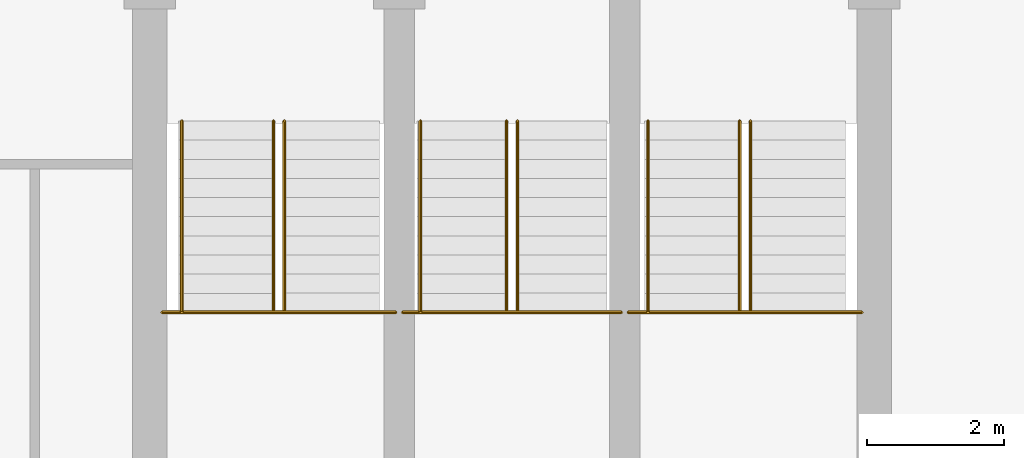
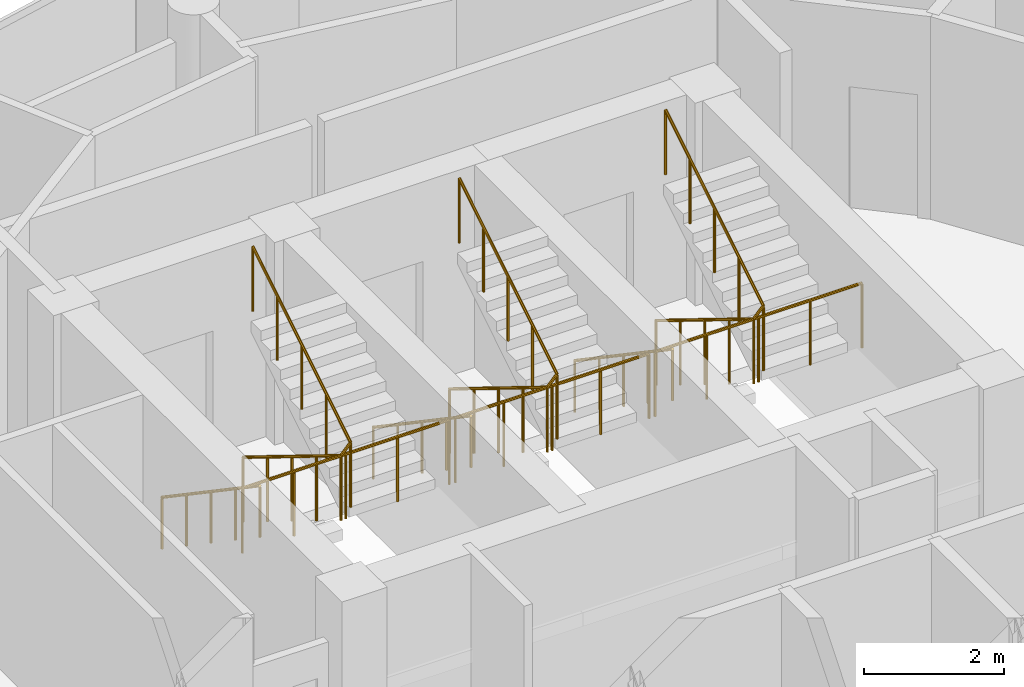
# One storey, part 24 of 24: 9 railings.
"""IFC4 building model written with IfcOpenShell, lengths in metres."""

from ifc_helpers import new_model, si_unit, direction, frame, origin, place, context, subcontext, project, spatial, polyline, outline, extrude, material, type_object, element, save


model = new_model("IFC4")

# Units and contexts
model_context = context("Model", 3, precision=1e-05, world=origin(), true_north=direction((0.0, 1.0)))
body_context = subcontext(model_context, "Body", "Model", "MODEL_VIEW")
ifc_project = project(units=[si_unit("LENGTHUNIT", "METRE"), si_unit("AREAUNIT", "SQUARE_METRE"), si_unit("VOLUMEUNIT", "CUBIC_METRE"), si_unit("PLANEANGLEUNIT", "RADIAN"), si_unit("MASSUNIT", "GRAM", prefix="KILO")], contexts=[model_context])

# Site, building, storey
site_placement = place(None, origin())
site = spatial("IfcSite", under=ifc_project, at=site_placement, CompositionType="ELEMENT")
building_placement = place(site_placement, origin())
building = spatial("IfcBuilding", under=site, at=building_placement, Name="Nuhasar Tower", CompositionType="ELEMENT")
storey_placement = place(building_placement, frame((0.0, 0.0, 270.800048828125)))
storey = spatial("IfcBuildingStorey", under=building, at=storey_placement, Name="L67", CompositionType="ELEMENT", Elevation=270.800048828125)

# Railings
ifc_material_1 = material(Name="Steel S355", Category="steel")
railing_type_1 = type_object("IfcRailingType", Name="RLG-STAIR-GUARD-1150", PredefinedType="GUARDRAIL", material=ifc_material_1)
railing_1_placement = place(storey_placement, frame((33.8798828125, 32.485107421875, 1.89990234375)))
element("IfcRailing", 1, at=railing_1_placement, inside=storey, type_object=railing_type_1, Name="L67 Stair ST-01 Guardrail LND", PredefinedType="GUARDRAIL", context=body_context, shape_type="SweptSolid", body=[
    extrude(outline(polyline([(0.024169921875, 0.0), (0.01708984375, 0.01708984375), (0.0, 0.024169921875), (-0.01708984375, 0.01708984375), (-0.024169921875, 0.0), (-0.01708984375, -0.01708984375), (0.0, -0.024169921875), (0.01708984375, -0.01708984375), (0.024169921875, 0.0)])), frame((0.0, 0.0, 1.1259765625), z_axis=(1.0, 0.0, 0.0), x_axis=(0.0, 1.0, 0.0)), (0.0, 0.0, 1.0), 3.420166015625),
    extrude(outline(polyline([(0.02099609375, 0.0), (0.014892578125, 0.014892578125), (0.0, 0.02099609375), (-0.014892578125, 0.014892578125), (-0.02099609375, 0.0), (-0.014892578125, -0.014892578125), (0.0, -0.02099609375), (0.014892578125, -0.014892578125), (0.02099609375, 0.0)])), origin(), (0.0, 0.0, 1.0), 1.101806640625),
    extrude(outline(polyline([(0.02099609375, 0.0), (0.014892578125, 0.014892578125), (0.0, 0.02099609375), (-0.014892578125, 0.014892578125), (-0.02099609375, 0.0), (-0.014892578125, -0.014892578125), (0.0, -0.02099609375), (0.014892578125, -0.014892578125), (0.02099609375, 0.0)])), frame((0.85498046875, 0.0, 0.0)), (0.0, 0.0, 1.0), 1.101806640625),
    extrude(outline(polyline([(0.02099609375, 0.0), (0.014892578125, 0.014892578125), (0.0, 0.02099609375), (-0.014892578125, 0.014892578125), (-0.02099609375, 0.0), (-0.014892578125, -0.014892578125), (0.0, -0.02099609375), (0.014892578125, -0.014892578125), (0.02099609375, 0.0)])), frame((1.7099609375, 0.0, 0.0)), (0.0, 0.0, 1.0), 1.101806640625),
    extrude(outline(polyline([(0.02099609375, 0.0), (0.014892578125, 0.014892578125), (0.0, 0.02099609375), (-0.014892578125, 0.014892578125), (-0.02099609375, 0.0), (-0.014892578125, -0.014892578125), (0.0, -0.02099609375), (0.014892578125, -0.014892578125), (0.02099609375, 0.0)])), frame((2.565185546875, 0.0, 0.0)), (0.0, 0.0, 1.0), 1.101806640625),
    extrude(outline(polyline([(0.02099609375, 0.0), (0.014892578125, 0.014892578125), (0.0, 0.02099609375), (-0.014892578125, 0.014892578125), (-0.02099609375, 0.0), (-0.014892578125, -0.014892578125), (0.0, -0.02099609375), (0.014892578125, -0.014892578125), (0.02099609375, 0.0)])), frame((3.420166015625, 0.0, 0.0)), (0.0, 0.0, 1.0), 1.101806640625),
])
railing_2_placement = place(storey_placement, frame((35.510009765625, 35.284912109375, 0.1728515625)))
element("IfcRailing", 2, at=railing_2_placement, inside=storey, type_object=railing_type_1, Name="L67 Stair ST-01 Guardrail SLT", PredefinedType="GUARDRAIL", context=body_context, shape_type="SweptSolid", body=[
    extrude(outline(polyline([(0.024169921875, 0.0), (0.01708984375, 0.01708984375), (0.0, 0.024169921875), (-0.01708984375, 0.01708984375), (-0.024169921875, 0.0), (-0.01708984375, -0.01708984375), (0.0, -0.024169921875), (0.01708984375, -0.01708984375), (0.024169921875, 0.0)])), frame((0.0, 0.0, 1.1259765625), z_axis=(0.0, -0.851102337555, 0.524999820009), x_axis=(1.0, 0.0, 0.0)), (0.0, 0.0, 1.0), 3.28955078125),
    extrude(outline(polyline([(0.024169921875, 0.0), (0.01708984375, 0.01708984375), (0.0, 0.024169921875), (-0.01708984375, 0.01708984375), (-0.024169921875, 0.0), (-0.01708984375, -0.01708984375), (0.0, -0.024169921875), (0.01708984375, -0.01708984375), (0.024169921875, 0.0)])), frame((0.0, -2.7998046875, 2.85302734375), z_axis=(0.678581247581, 0.0, 0.734525350435), x_axis=(0.0, 1.0, 0.0)), (0.0, 0.0, 1.0), 0.235595703125),
    extrude(outline(polyline([(0.024169921875, 0.0), (0.01708984375, 0.01708984375), (0.0, 0.024169921875), (-0.01708984375, 0.01708984375), (-0.024169921875, 0.0), (-0.01708984375, -0.01708984375), (0.0, -0.024169921875), (0.01708984375, -0.01708984375), (0.024169921875, 0.0)])), frame((0.159912109375, -2.7998046875, 3.02587890625), z_axis=(0.0, 0.851102337555, 0.524999820009), x_axis=(-1.0, 0.0, 0.0)), (0.0, 0.0, 1.0), 3.28955078125),
    extrude(outline(polyline([(0.02099609375, 0.0), (0.014892578125, 0.014892578125), (0.0, 0.02099609375), (-0.014892578125, 0.014892578125), (-0.02099609375, 0.0), (-0.014892578125, -0.014892578125), (0.0, -0.02099609375), (0.014892578125, -0.014892578125), (0.02099609375, 0.0)])), origin(), (0.0, 0.0, 1.0), 1.101806640625),
    extrude(outline(polyline([(0.02099609375, 0.0), (0.014892578125, 0.014892578125), (0.0, 0.02099609375), (-0.014892578125, 0.014892578125), (-0.02099609375, 0.0), (-0.014892578125, -0.014892578125), (0.0, -0.02099609375), (0.014892578125, -0.014892578125), (0.02099609375, 0.0)])), frame((0.0, -0.699951171875, 0.431640625)), (0.0, 0.0, 1.0), 1.101806640625),
    extrude(outline(polyline([(0.02099609375, 0.0), (0.014892578125, 0.014892578125), (0.0, 0.02099609375), (-0.014892578125, 0.014892578125), (-0.02099609375, 0.0), (-0.014892578125, -0.014892578125), (0.0, -0.02099609375), (0.014892578125, -0.014892578125), (0.02099609375, 0.0)])), frame((0.0, -1.39990234375, 0.863525390625)), (0.0, 0.0, 1.0), 1.101806640625),
    extrude(outline(polyline([(0.02099609375, 0.0), (0.014892578125, 0.014892578125), (0.0, 0.02099609375), (-0.014892578125, 0.014892578125), (-0.02099609375, 0.0), (-0.014892578125, -0.014892578125), (0.0, -0.02099609375), (0.014892578125, -0.014892578125), (0.02099609375, 0.0)])), frame((0.0, -2.099853515625, 1.29541015625)), (0.0, 0.0, 1.0), 1.101806640625),
    extrude(outline(polyline([(0.02099609375, 0.0), (0.014892578125, 0.014892578125), (0.0, 0.02099609375), (-0.014892578125, 0.014892578125), (-0.02099609375, 0.0), (-0.014892578125, -0.014892578125), (0.0, -0.02099609375), (0.014892578125, -0.014892578125), (0.02099609375, 0.0)])), frame((0.0, -2.7998046875, 1.72705078125)), (0.0, 0.0, 1.0), 1.101806640625),
    extrude(outline(polyline([(0.02099609375, 0.0), (0.014892578125, 0.014892578125), (0.0, 0.02099609375), (-0.014892578125, 0.014892578125), (-0.02099609375, 0.0), (-0.014892578125, -0.014892578125), (0.0, -0.02099609375), (0.014892578125, -0.014892578125), (0.02099609375, 0.0)])), frame((0.159912109375, -2.7998046875, 1.900146484375)), (0.0, 0.0, 1.0), 1.101806640625),
    extrude(outline(polyline([(0.02099609375, 0.0), (0.014892578125, 0.014892578125), (0.0, 0.02099609375), (-0.014892578125, 0.014892578125), (-0.02099609375, 0.0), (-0.014892578125, -0.014892578125), (0.0, -0.02099609375), (0.014892578125, -0.014892578125), (0.02099609375, 0.0)])), frame((0.159912109375, -2.099853515625, 2.33203125)), (0.0, 0.0, 1.0), 1.101806640625),
    extrude(outline(polyline([(0.02099609375, 0.0), (0.014892578125, 0.014892578125), (0.0, 0.02099609375), (-0.014892578125, 0.014892578125), (-0.02099609375, 0.0), (-0.014892578125, -0.014892578125), (0.0, -0.02099609375), (0.014892578125, -0.014892578125), (0.02099609375, 0.0)])), frame((0.159912109375, -1.39990234375, 2.763671875)), (0.0, 0.0, 1.0), 1.101806640625),
    extrude(outline(polyline([(0.02099609375, 0.0), (0.014892578125, 0.014892578125), (0.0, 0.02099609375), (-0.014892578125, 0.014892578125), (-0.02099609375, 0.0), (-0.014892578125, -0.014892578125), (0.0, -0.02099609375), (0.014892578125, -0.014892578125), (0.02099609375, 0.0)])), frame((0.159912109375, -0.699951171875, 3.1953125)), (0.0, 0.0, 1.0), 1.101806640625),
    extrude(outline(polyline([(0.02099609375, 0.0), (0.014892578125, 0.014892578125), (0.0, 0.02099609375), (-0.014892578125, 0.014892578125), (-0.02099609375, 0.0), (-0.014892578125, -0.014892578125), (0.0, -0.02099609375), (0.014892578125, -0.014892578125), (0.02099609375, 0.0)])), frame((0.159912109375, 0.0, 3.627197265625)), (0.0, 0.0, 1.0), 1.101806640625),
])
railing_3_placement = place(storey_placement, frame((37.39990234375, 32.485107421875, 1.89990234375)))
element("IfcRailing", 3, at=railing_3_placement, inside=storey, type_object=railing_type_1, Name="L67 Stair ST-03 Guardrail LND", PredefinedType="GUARDRAIL", context=body_context, shape_type="SweptSolid", body=[
    extrude(outline(polyline([(0.024169921875, 0.0), (0.01708984375, 0.01708984375), (0.0, 0.024169921875), (-0.01708984375, 0.01708984375), (-0.024169921875, 0.0), (-0.01708984375, -0.01708984375), (0.0, -0.024169921875), (0.01708984375, -0.01708984375), (0.024169921875, 0.0)])), frame((0.0, 0.0, 1.1259765625), z_axis=(1.0, 0.0, 0.0), x_axis=(0.0, 1.0, 0.0)), (0.0, 0.0, 1.0), 3.2001953125),
    extrude(outline(polyline([(0.02099609375, 0.0), (0.014892578125, 0.014892578125), (0.0, 0.02099609375), (-0.014892578125, 0.014892578125), (-0.02099609375, 0.0), (-0.014892578125, -0.014892578125), (0.0, -0.02099609375), (0.014892578125, -0.014892578125), (0.02099609375, 0.0)])), origin(), (0.0, 0.0, 1.0), 1.101806640625),
    extrude(outline(polyline([(0.02099609375, 0.0), (0.014892578125, 0.014892578125), (0.0, 0.02099609375), (-0.014892578125, 0.014892578125), (-0.02099609375, 0.0), (-0.014892578125, -0.014892578125), (0.0, -0.02099609375), (0.014892578125, -0.014892578125), (0.02099609375, 0.0)])), frame((0.800048828125, 0.0, 0.0)), (0.0, 0.0, 1.0), 1.101806640625),
    extrude(outline(polyline([(0.02099609375, 0.0), (0.014892578125, 0.014892578125), (0.0, 0.02099609375), (-0.014892578125, 0.014892578125), (-0.02099609375, 0.0), (-0.014892578125, -0.014892578125), (0.0, -0.02099609375), (0.014892578125, -0.014892578125), (0.02099609375, 0.0)])), frame((1.60009765625, 0.0, 0.0)), (0.0, 0.0, 1.0), 1.101806640625),
    extrude(outline(polyline([(0.02099609375, 0.0), (0.014892578125, 0.014892578125), (0.0, 0.02099609375), (-0.014892578125, 0.014892578125), (-0.02099609375, 0.0), (-0.014892578125, -0.014892578125), (0.0, -0.02099609375), (0.014892578125, -0.014892578125), (0.02099609375, 0.0)])), frame((2.400146484375, 0.0, 0.0)), (0.0, 0.0, 1.0), 1.101806640625),
    extrude(outline(polyline([(0.02099609375, 0.0), (0.014892578125, 0.014892578125), (0.0, 0.02099609375), (-0.014892578125, 0.014892578125), (-0.02099609375, 0.0), (-0.014892578125, -0.014892578125), (0.0, -0.02099609375), (0.014892578125, -0.014892578125), (0.02099609375, 0.0)])), frame((3.2001953125, 0.0, 0.0)), (0.0, 0.0, 1.0), 1.101806640625),
])
railing_4_placement = place(storey_placement, frame((38.919921875, 35.284912109375, 0.1728515625)))
element("IfcRailing", 4, at=railing_4_placement, inside=storey, type_object=railing_type_1, Name="L67 Stair ST-03 Guardrail SLT", PredefinedType="GUARDRAIL", context=body_context, shape_type="SweptSolid", body=[
    extrude(outline(polyline([(0.024169921875, 0.0), (0.01708984375, 0.01708984375), (0.0, 0.024169921875), (-0.01708984375, 0.01708984375), (-0.024169921875, 0.0), (-0.01708984375, -0.01708984375), (0.0, -0.024169921875), (0.01708984375, -0.01708984375), (0.024169921875, 0.0)])), frame((0.0, 0.0, 1.1259765625), z_axis=(0.0, -0.851102337555, 0.524999820009), x_axis=(1.0, 0.0, 0.0)), (0.0, 0.0, 1.0), 3.28955078125),
    extrude(outline(polyline([(0.024169921875, 0.0), (0.01708984375, 0.01708984375), (0.0, 0.024169921875), (-0.01708984375, 0.01708984375), (-0.024169921875, 0.0), (-0.01708984375, -0.01708984375), (0.0, -0.024169921875), (0.01708984375, -0.01708984375), (0.024169921875, 0.0)])), frame((0.0, -2.7998046875, 2.85302734375), z_axis=(0.679139610055, 0.0, 0.734009121234), x_axis=(0.0, 1.0, 0.0)), (0.0, 0.0, 1.0), 0.23583984375),
    extrude(outline(polyline([(0.024169921875, 0.0), (0.01708984375, 0.01708984375), (0.0, 0.024169921875), (-0.01708984375, 0.01708984375), (-0.024169921875, 0.0), (-0.01708984375, -0.01708984375), (0.0, -0.024169921875), (0.01708984375, -0.01708984375), (0.024169921875, 0.0)])), frame((0.16015625, -2.7998046875, 3.02587890625), z_axis=(0.0, 0.851102337555, 0.524999820009), x_axis=(-1.0, 0.0, 0.0)), (0.0, 0.0, 1.0), 3.28955078125),
    extrude(outline(polyline([(0.02099609375, 0.0), (0.014892578125, 0.014892578125), (0.0, 0.02099609375), (-0.014892578125, 0.014892578125), (-0.02099609375, 0.0), (-0.014892578125, -0.014892578125), (0.0, -0.02099609375), (0.014892578125, -0.014892578125), (0.02099609375, 0.0)])), origin(), (0.0, 0.0, 1.0), 1.101806640625),
    extrude(outline(polyline([(0.02099609375, 0.0), (0.014892578125, 0.014892578125), (0.0, 0.02099609375), (-0.014892578125, 0.014892578125), (-0.02099609375, 0.0), (-0.014892578125, -0.014892578125), (0.0, -0.02099609375), (0.014892578125, -0.014892578125), (0.02099609375, 0.0)])), frame((0.0, -0.699951171875, 0.431640625)), (0.0, 0.0, 1.0), 1.101806640625),
    extrude(outline(polyline([(0.02099609375, 0.0), (0.014892578125, 0.014892578125), (0.0, 0.02099609375), (-0.014892578125, 0.014892578125), (-0.02099609375, 0.0), (-0.014892578125, -0.014892578125), (0.0, -0.02099609375), (0.014892578125, -0.014892578125), (0.02099609375, 0.0)])), frame((0.0, -1.39990234375, 0.863525390625)), (0.0, 0.0, 1.0), 1.101806640625),
    extrude(outline(polyline([(0.02099609375, 0.0), (0.014892578125, 0.014892578125), (0.0, 0.02099609375), (-0.014892578125, 0.014892578125), (-0.02099609375, 0.0), (-0.014892578125, -0.014892578125), (0.0, -0.02099609375), (0.014892578125, -0.014892578125), (0.02099609375, 0.0)])), frame((0.0, -2.099853515625, 1.29541015625)), (0.0, 0.0, 1.0), 1.101806640625),
    extrude(outline(polyline([(0.02099609375, 0.0), (0.014892578125, 0.014892578125), (0.0, 0.02099609375), (-0.014892578125, 0.014892578125), (-0.02099609375, 0.0), (-0.014892578125, -0.014892578125), (0.0, -0.02099609375), (0.014892578125, -0.014892578125), (0.02099609375, 0.0)])), frame((0.0, -2.7998046875, 1.72705078125)), (0.0, 0.0, 1.0), 1.101806640625),
    extrude(outline(polyline([(0.02099609375, 0.0), (0.014892578125, 0.014892578125), (0.0, 0.02099609375), (-0.014892578125, 0.014892578125), (-0.02099609375, 0.0), (-0.014892578125, -0.014892578125), (0.0, -0.02099609375), (0.014892578125, -0.014892578125), (0.02099609375, 0.0)])), frame((0.16015625, -2.7998046875, 1.900146484375)), (0.0, 0.0, 1.0), 1.101806640625),
    extrude(outline(polyline([(0.02099609375, 0.0), (0.014892578125, 0.014892578125), (0.0, 0.02099609375), (-0.014892578125, 0.014892578125), (-0.02099609375, 0.0), (-0.014892578125, -0.014892578125), (0.0, -0.02099609375), (0.014892578125, -0.014892578125), (0.02099609375, 0.0)])), frame((0.16015625, -2.099853515625, 2.33203125)), (0.0, 0.0, 1.0), 1.101806640625),
    extrude(outline(polyline([(0.02099609375, 0.0), (0.014892578125, 0.014892578125), (0.0, 0.02099609375), (-0.014892578125, 0.014892578125), (-0.02099609375, 0.0), (-0.014892578125, -0.014892578125), (0.0, -0.02099609375), (0.014892578125, -0.014892578125), (0.02099609375, 0.0)])), frame((0.16015625, -1.39990234375, 2.763671875)), (0.0, 0.0, 1.0), 1.101806640625),
    extrude(outline(polyline([(0.02099609375, 0.0), (0.014892578125, 0.014892578125), (0.0, 0.02099609375), (-0.014892578125, 0.014892578125), (-0.02099609375, 0.0), (-0.014892578125, -0.014892578125), (0.0, -0.02099609375), (0.014892578125, -0.014892578125), (0.02099609375, 0.0)])), frame((0.16015625, -0.699951171875, 3.1953125)), (0.0, 0.0, 1.0), 1.101806640625),
    extrude(outline(polyline([(0.02099609375, 0.0), (0.014892578125, 0.014892578125), (0.0, 0.02099609375), (-0.014892578125, 0.014892578125), (-0.02099609375, 0.0), (-0.014892578125, -0.014892578125), (0.0, -0.02099609375), (0.014892578125, -0.014892578125), (0.02099609375, 0.0)])), frame((0.16015625, 0.0, 3.627197265625)), (0.0, 0.0, 1.0), 1.101806640625),
])
railing_5_placement = place(storey_placement, frame((40.699951171875, 32.485107421875, 1.89990234375)))
element("IfcRailing", 5, at=railing_5_placement, inside=storey, type_object=railing_type_1, Name="L67 Stair ST-02 Guardrail LND", PredefinedType="GUARDRAIL", context=body_context, shape_type="SweptSolid", body=[
    extrude(outline(polyline([(0.024169921875, 0.0), (0.01708984375, 0.01708984375), (0.0, 0.024169921875), (-0.01708984375, 0.01708984375), (-0.024169921875, 0.0), (-0.01708984375, -0.01708984375), (0.0, -0.024169921875), (0.01708984375, -0.01708984375), (0.024169921875, 0.0)])), frame((0.0, 0.0, 1.1259765625), z_axis=(1.0, 0.0, 0.0), x_axis=(0.0, 1.0, 0.0)), (0.0, 0.0, 1.0), 3.420166015625),
    extrude(outline(polyline([(0.02099609375, 0.0), (0.014892578125, 0.014892578125), (0.0, 0.02099609375), (-0.014892578125, 0.014892578125), (-0.02099609375, 0.0), (-0.014892578125, -0.014892578125), (0.0, -0.02099609375), (0.014892578125, -0.014892578125), (0.02099609375, 0.0)])), origin(), (0.0, 0.0, 1.0), 1.101806640625),
    extrude(outline(polyline([(0.02099609375, 0.0), (0.014892578125, 0.014892578125), (0.0, 0.02099609375), (-0.014892578125, 0.014892578125), (-0.02099609375, 0.0), (-0.014892578125, -0.014892578125), (0.0, -0.02099609375), (0.014892578125, -0.014892578125), (0.02099609375, 0.0)])), frame((0.85498046875, 0.0, 0.0)), (0.0, 0.0, 1.0), 1.101806640625),
    extrude(outline(polyline([(0.02099609375, 0.0), (0.014892578125, 0.014892578125), (0.0, 0.02099609375), (-0.014892578125, 0.014892578125), (-0.02099609375, 0.0), (-0.014892578125, -0.014892578125), (0.0, -0.02099609375), (0.014892578125, -0.014892578125), (0.02099609375, 0.0)])), frame((1.7099609375, 0.0, 0.0)), (0.0, 0.0, 1.0), 1.101806640625),
    extrude(outline(polyline([(0.02099609375, 0.0), (0.014892578125, 0.014892578125), (0.0, 0.02099609375), (-0.014892578125, 0.014892578125), (-0.02099609375, 0.0), (-0.014892578125, -0.014892578125), (0.0, -0.02099609375), (0.014892578125, -0.014892578125), (0.02099609375, 0.0)])), frame((2.565185546875, 0.0, 0.0)), (0.0, 0.0, 1.0), 1.101806640625),
    extrude(outline(polyline([(0.02099609375, 0.0), (0.014892578125, 0.014892578125), (0.0, 0.02099609375), (-0.014892578125, 0.014892578125), (-0.02099609375, 0.0), (-0.014892578125, -0.014892578125), (0.0, -0.02099609375), (0.014892578125, -0.014892578125), (0.02099609375, 0.0)])), frame((3.420166015625, 0.0, 0.0)), (0.0, 0.0, 1.0), 1.101806640625),
])
railing_6_placement = place(storey_placement, frame((42.330078125, 35.284912109375, 0.1728515625)))
element("IfcRailing", 6, at=railing_6_placement, inside=storey, type_object=railing_type_1, Name="L67 Stair ST-02 Guardrail SLT", PredefinedType="GUARDRAIL", context=body_context, shape_type="SweptSolid", body=[
    extrude(outline(polyline([(0.024169921875, 0.0), (0.01708984375, 0.01708984375), (0.0, 0.024169921875), (-0.01708984375, 0.01708984375), (-0.024169921875, 0.0), (-0.01708984375, -0.01708984375), (0.0, -0.024169921875), (0.01708984375, -0.01708984375), (0.024169921875, 0.0)])), frame((0.0, 0.0, 1.1259765625), z_axis=(0.0, -0.851102337555, 0.524999820009), x_axis=(1.0, 0.0, 0.0)), (0.0, 0.0, 1.0), 3.28955078125),
    extrude(outline(polyline([(0.024169921875, 0.0), (0.01708984375, 0.01708984375), (0.0, 0.024169921875), (-0.01708984375, 0.01708984375), (-0.024169921875, 0.0), (-0.01708984375, -0.01708984375), (0.0, -0.024169921875), (0.01708984375, -0.01708984375), (0.024169921875, 0.0)])), frame((0.0, -2.7998046875, 2.85302734375), z_axis=(0.678581247581, 0.0, 0.734525350435), x_axis=(0.0, 1.0, 0.0)), (0.0, 0.0, 1.0), 0.235595703125),
    extrude(outline(polyline([(0.024169921875, 0.0), (0.01708984375, 0.01708984375), (0.0, 0.024169921875), (-0.01708984375, 0.01708984375), (-0.024169921875, 0.0), (-0.01708984375, -0.01708984375), (0.0, -0.024169921875), (0.01708984375, -0.01708984375), (0.024169921875, 0.0)])), frame((0.159912109375, -2.7998046875, 3.02587890625), z_axis=(0.0, 0.851102337555, 0.524999820009), x_axis=(-1.0, 0.0, 0.0)), (0.0, 0.0, 1.0), 3.28955078125),
    extrude(outline(polyline([(0.02099609375, 0.0), (0.014892578125, 0.014892578125), (0.0, 0.02099609375), (-0.014892578125, 0.014892578125), (-0.02099609375, 0.0), (-0.014892578125, -0.014892578125), (0.0, -0.02099609375), (0.014892578125, -0.014892578125), (0.02099609375, 0.0)])), origin(), (0.0, 0.0, 1.0), 1.101806640625),
    extrude(outline(polyline([(0.02099609375, 0.0), (0.014892578125, 0.014892578125), (0.0, 0.02099609375), (-0.014892578125, 0.014892578125), (-0.02099609375, 0.0), (-0.014892578125, -0.014892578125), (0.0, -0.02099609375), (0.014892578125, -0.014892578125), (0.02099609375, 0.0)])), frame((0.0, -0.699951171875, 0.431640625)), (0.0, 0.0, 1.0), 1.101806640625),
    extrude(outline(polyline([(0.02099609375, 0.0), (0.014892578125, 0.014892578125), (0.0, 0.02099609375), (-0.014892578125, 0.014892578125), (-0.02099609375, 0.0), (-0.014892578125, -0.014892578125), (0.0, -0.02099609375), (0.014892578125, -0.014892578125), (0.02099609375, 0.0)])), frame((0.0, -1.39990234375, 0.863525390625)), (0.0, 0.0, 1.0), 1.101806640625),
    extrude(outline(polyline([(0.02099609375, 0.0), (0.014892578125, 0.014892578125), (0.0, 0.02099609375), (-0.014892578125, 0.014892578125), (-0.02099609375, 0.0), (-0.014892578125, -0.014892578125), (0.0, -0.02099609375), (0.014892578125, -0.014892578125), (0.02099609375, 0.0)])), frame((0.0, -2.099853515625, 1.29541015625)), (0.0, 0.0, 1.0), 1.101806640625),
    extrude(outline(polyline([(0.02099609375, 0.0), (0.014892578125, 0.014892578125), (0.0, 0.02099609375), (-0.014892578125, 0.014892578125), (-0.02099609375, 0.0), (-0.014892578125, -0.014892578125), (0.0, -0.02099609375), (0.014892578125, -0.014892578125), (0.02099609375, 0.0)])), frame((0.0, -2.7998046875, 1.72705078125)), (0.0, 0.0, 1.0), 1.101806640625),
    extrude(outline(polyline([(0.02099609375, 0.0), (0.014892578125, 0.014892578125), (0.0, 0.02099609375), (-0.014892578125, 0.014892578125), (-0.02099609375, 0.0), (-0.014892578125, -0.014892578125), (0.0, -0.02099609375), (0.014892578125, -0.014892578125), (0.02099609375, 0.0)])), frame((0.159912109375, -2.7998046875, 1.900146484375)), (0.0, 0.0, 1.0), 1.101806640625),
    extrude(outline(polyline([(0.02099609375, 0.0), (0.014892578125, 0.014892578125), (0.0, 0.02099609375), (-0.014892578125, 0.014892578125), (-0.02099609375, 0.0), (-0.014892578125, -0.014892578125), (0.0, -0.02099609375), (0.014892578125, -0.014892578125), (0.02099609375, 0.0)])), frame((0.159912109375, -2.099853515625, 2.33203125)), (0.0, 0.0, 1.0), 1.101806640625),
    extrude(outline(polyline([(0.02099609375, 0.0), (0.014892578125, 0.014892578125), (0.0, 0.02099609375), (-0.014892578125, 0.014892578125), (-0.02099609375, 0.0), (-0.014892578125, -0.014892578125), (0.0, -0.02099609375), (0.014892578125, -0.014892578125), (0.02099609375, 0.0)])), frame((0.159912109375, -1.39990234375, 2.763671875)), (0.0, 0.0, 1.0), 1.101806640625),
    extrude(outline(polyline([(0.02099609375, 0.0), (0.014892578125, 0.014892578125), (0.0, 0.02099609375), (-0.014892578125, 0.014892578125), (-0.02099609375, 0.0), (-0.014892578125, -0.014892578125), (0.0, -0.02099609375), (0.014892578125, -0.014892578125), (0.02099609375, 0.0)])), frame((0.159912109375, -0.699951171875, 3.1953125)), (0.0, 0.0, 1.0), 1.101806640625),
    extrude(outline(polyline([(0.02099609375, 0.0), (0.014892578125, 0.014892578125), (0.0, 0.02099609375), (-0.014892578125, 0.014892578125), (-0.02099609375, 0.0), (-0.014892578125, -0.014892578125), (0.0, -0.02099609375), (0.014892578125, -0.014892578125), (0.02099609375, 0.0)])), frame((0.159912109375, 0.0, 3.627197265625)), (0.0, 0.0, 1.0), 1.101806640625),
])
ifc_material_2 = material(Name="Stainless Steel 316L", Category="steel")
railing_type_2 = type_object("IfcRailingType", Name="RLG-STAIR-HAND-920", PredefinedType="HANDRAIL", material=ifc_material_2)
railing_7_placement = place(storey_placement, frame((34.169921875, 35.284912109375, 0.1728515625)))
element("IfcRailing", 7, at=railing_7_placement, inside=storey, type_object=railing_type_2, Name="L67 Stair ST-01 Handrail HND1", PredefinedType="HANDRAIL", context=body_context, shape_type="SweptSolid", body=[
    extrude(outline(polyline([(0.024169921875, 0.0), (0.01708984375, 0.01708984375), (0.0, 0.024169921875), (-0.01708984375, 0.01708984375), (-0.024169921875, 0.0), (-0.01708984375, -0.01708984375), (0.0, -0.024169921875), (0.01708984375, -0.01708984375), (0.024169921875, 0.0)])), frame((0.0, 0.0, 0.89599609375), z_axis=(0.0, -0.827437459516, 0.561557878219), x_axis=(1.0, 0.0, 0.0)), (0.0, 0.0, 1.0), 3.3837890625),
    extrude(outline(polyline([(0.02099609375, 0.0), (0.014892578125, 0.014892578125), (0.0, 0.02099609375), (-0.014892578125, 0.014892578125), (-0.02099609375, 0.0), (-0.014892578125, -0.014892578125), (0.0, -0.02099609375), (0.014892578125, -0.014892578125), (0.02099609375, 0.0)])), origin(), (0.0, 0.0, 1.0), 0.871826171875),
    extrude(outline(polyline([(0.02099609375, 0.0), (0.014892578125, 0.014892578125), (0.0, 0.02099609375), (-0.014892578125, 0.014892578125), (-0.02099609375, 0.0), (-0.014892578125, -0.014892578125), (0.0, -0.02099609375), (0.014892578125, -0.014892578125), (0.02099609375, 0.0)])), frame((0.0, -0.699951171875, 0.47509765625)), (0.0, 0.0, 1.0), 0.871826171875),
    extrude(outline(polyline([(0.02099609375, 0.0), (0.014892578125, 0.014892578125), (0.0, 0.02099609375), (-0.014892578125, 0.014892578125), (-0.02099609375, 0.0), (-0.014892578125, -0.014892578125), (0.0, -0.02099609375), (0.014892578125, -0.014892578125), (0.02099609375, 0.0)])), frame((0.0, -1.39990234375, 0.9501953125)), (0.0, 0.0, 1.0), 0.871826171875),
    extrude(outline(polyline([(0.02099609375, 0.0), (0.014892578125, 0.014892578125), (0.0, 0.02099609375), (-0.014892578125, 0.014892578125), (-0.02099609375, 0.0), (-0.014892578125, -0.014892578125), (0.0, -0.02099609375), (0.014892578125, -0.014892578125), (0.02099609375, 0.0)])), frame((0.0, -2.099853515625, 1.425048828125)), (0.0, 0.0, 1.0), 0.871826171875),
    extrude(outline(polyline([(0.02099609375, 0.0), (0.014892578125, 0.014892578125), (0.0, 0.02099609375), (-0.014892578125, 0.014892578125), (-0.02099609375, 0.0), (-0.014892578125, -0.014892578125), (0.0, -0.02099609375), (0.014892578125, -0.014892578125), (0.02099609375, 0.0)])), frame((0.0, -2.7998046875, 1.900146484375)), (0.0, 0.0, 1.0), 0.871826171875),
])
railing_8_placement = place(storey_placement, frame((37.659912109375, 35.284912109375, 0.1728515625)))
element("IfcRailing", 8, at=railing_8_placement, inside=storey, type_object=railing_type_2, Name="L67 Stair ST-03 Handrail HND1", PredefinedType="HANDRAIL", context=body_context, shape_type="SweptSolid", body=[
    extrude(outline(polyline([(0.024169921875, 0.0), (0.01708984375, 0.01708984375), (0.0, 0.024169921875), (-0.01708984375, 0.01708984375), (-0.024169921875, 0.0), (-0.01708984375, -0.01708984375), (0.0, -0.024169921875), (0.01708984375, -0.01708984375), (0.024169921875, 0.0)])), frame((0.0, 0.0, 0.89599609375), z_axis=(0.0, -0.827437459516, 0.561557878219), x_axis=(1.0, 0.0, 0.0)), (0.0, 0.0, 1.0), 3.3837890625),
    extrude(outline(polyline([(0.02099609375, 0.0), (0.014892578125, 0.014892578125), (0.0, 0.02099609375), (-0.014892578125, 0.014892578125), (-0.02099609375, 0.0), (-0.014892578125, -0.014892578125), (0.0, -0.02099609375), (0.014892578125, -0.014892578125), (0.02099609375, 0.0)])), origin(), (0.0, 0.0, 1.0), 0.871826171875),
    extrude(outline(polyline([(0.02099609375, 0.0), (0.014892578125, 0.014892578125), (0.0, 0.02099609375), (-0.014892578125, 0.014892578125), (-0.02099609375, 0.0), (-0.014892578125, -0.014892578125), (0.0, -0.02099609375), (0.014892578125, -0.014892578125), (0.02099609375, 0.0)])), frame((0.0, -0.699951171875, 0.47509765625)), (0.0, 0.0, 1.0), 0.871826171875),
    extrude(outline(polyline([(0.02099609375, 0.0), (0.014892578125, 0.014892578125), (0.0, 0.02099609375), (-0.014892578125, 0.014892578125), (-0.02099609375, 0.0), (-0.014892578125, -0.014892578125), (0.0, -0.02099609375), (0.014892578125, -0.014892578125), (0.02099609375, 0.0)])), frame((0.0, -1.39990234375, 0.9501953125)), (0.0, 0.0, 1.0), 0.871826171875),
    extrude(outline(polyline([(0.02099609375, 0.0), (0.014892578125, 0.014892578125), (0.0, 0.02099609375), (-0.014892578125, 0.014892578125), (-0.02099609375, 0.0), (-0.014892578125, -0.014892578125), (0.0, -0.02099609375), (0.014892578125, -0.014892578125), (0.02099609375, 0.0)])), frame((0.0, -2.099853515625, 1.425048828125)), (0.0, 0.0, 1.0), 0.871826171875),
    extrude(outline(polyline([(0.02099609375, 0.0), (0.014892578125, 0.014892578125), (0.0, 0.02099609375), (-0.014892578125, 0.014892578125), (-0.02099609375, 0.0), (-0.014892578125, -0.014892578125), (0.0, -0.02099609375), (0.014892578125, -0.014892578125), (0.02099609375, 0.0)])), frame((0.0, -2.7998046875, 1.900146484375)), (0.0, 0.0, 1.0), 0.871826171875),
])
railing_9_placement = place(storey_placement, frame((40.989990234375, 35.284912109375, 0.1728515625)))
element("IfcRailing", 9, at=railing_9_placement, inside=storey, type_object=railing_type_2, Name="L67 Stair ST-02 Handrail HND1", PredefinedType="HANDRAIL", context=body_context, shape_type="SweptSolid", body=[
    extrude(outline(polyline([(0.024169921875, 0.0), (0.01708984375, 0.01708984375), (0.0, 0.024169921875), (-0.01708984375, 0.01708984375), (-0.024169921875, 0.0), (-0.01708984375, -0.01708984375), (0.0, -0.024169921875), (0.01708984375, -0.01708984375), (0.024169921875, 0.0)])), frame((0.0, 0.0, 0.89599609375), z_axis=(0.0, -0.827437459516, 0.561557878219), x_axis=(1.0, 0.0, 0.0)), (0.0, 0.0, 1.0), 3.3837890625),
    extrude(outline(polyline([(0.02099609375, 0.0), (0.014892578125, 0.014892578125), (0.0, 0.02099609375), (-0.014892578125, 0.014892578125), (-0.02099609375, 0.0), (-0.014892578125, -0.014892578125), (0.0, -0.02099609375), (0.014892578125, -0.014892578125), (0.02099609375, 0.0)])), origin(), (0.0, 0.0, 1.0), 0.871826171875),
    extrude(outline(polyline([(0.02099609375, 0.0), (0.014892578125, 0.014892578125), (0.0, 0.02099609375), (-0.014892578125, 0.014892578125), (-0.02099609375, 0.0), (-0.014892578125, -0.014892578125), (0.0, -0.02099609375), (0.014892578125, -0.014892578125), (0.02099609375, 0.0)])), frame((0.0, -0.699951171875, 0.47509765625)), (0.0, 0.0, 1.0), 0.871826171875),
    extrude(outline(polyline([(0.02099609375, 0.0), (0.014892578125, 0.014892578125), (0.0, 0.02099609375), (-0.014892578125, 0.014892578125), (-0.02099609375, 0.0), (-0.014892578125, -0.014892578125), (0.0, -0.02099609375), (0.014892578125, -0.014892578125), (0.02099609375, 0.0)])), frame((0.0, -1.39990234375, 0.9501953125)), (0.0, 0.0, 1.0), 0.871826171875),
    extrude(outline(polyline([(0.02099609375, 0.0), (0.014892578125, 0.014892578125), (0.0, 0.02099609375), (-0.014892578125, 0.014892578125), (-0.02099609375, 0.0), (-0.014892578125, -0.014892578125), (0.0, -0.02099609375), (0.014892578125, -0.014892578125), (0.02099609375, 0.0)])), frame((0.0, -2.099853515625, 1.425048828125)), (0.0, 0.0, 1.0), 0.871826171875),
    extrude(outline(polyline([(0.02099609375, 0.0), (0.014892578125, 0.014892578125), (0.0, 0.02099609375), (-0.014892578125, 0.014892578125), (-0.02099609375, 0.0), (-0.014892578125, -0.014892578125), (0.0, -0.02099609375), (0.014892578125, -0.014892578125), (0.02099609375, 0.0)])), frame((0.0, -2.7998046875, 1.900146484375)), (0.0, 0.0, 1.0), 0.871826171875),
])

save(model, "model.ifc")
